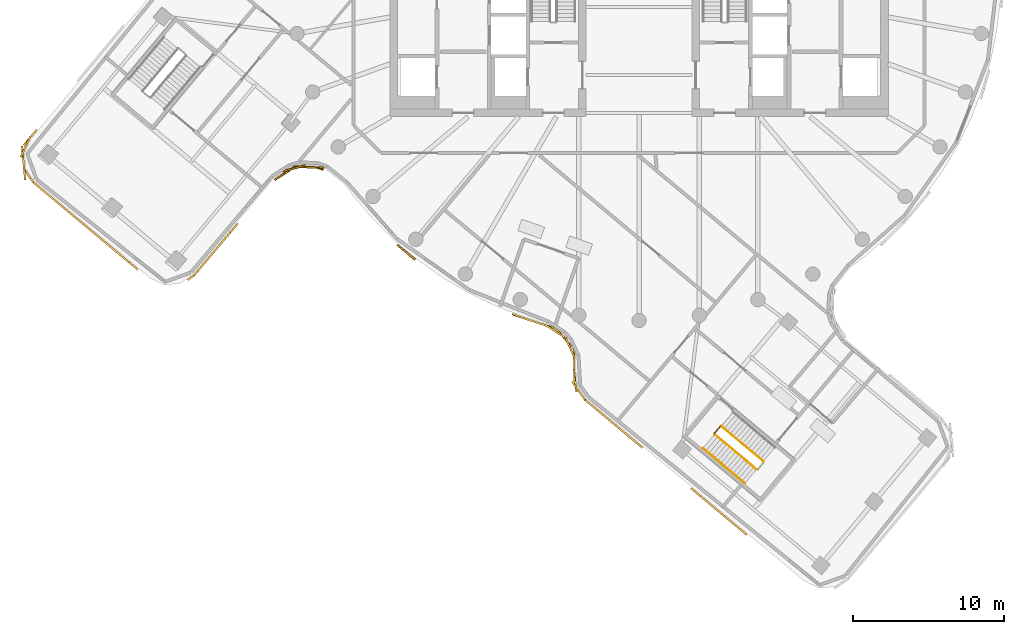
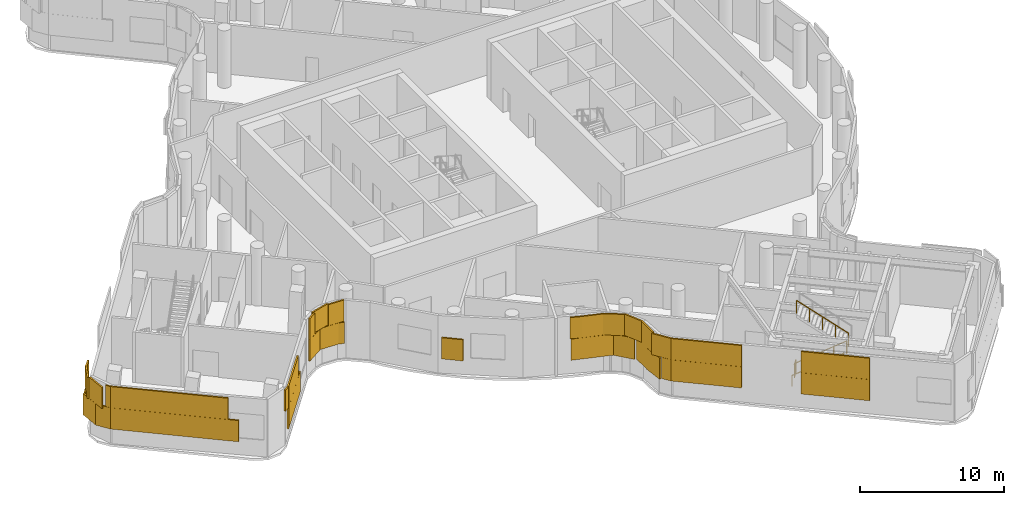
# One storey, part 13 of 19: 7 coverings, 4 railings.
"""IFC4 building model written with IfcOpenShell, lengths in metres."""

from ifc_helpers import new_model, si_unit, direction, frame, origin, origin_2d, place, context, subcontext, project, spatial, rectangle, circle, extrude, material, layer, layer_set, type_object, element, save


model = new_model("IFC4")

# Units and contexts
model_context = context("Model", 3, precision=1e-05, world=origin(), true_north=direction((0.0, 1.0)))
body_context = subcontext(model_context, "Body", "Model", "MODEL_VIEW")
ifc_project = project(units=[si_unit("LENGTHUNIT", "METRE"), si_unit("AREAUNIT", "SQUARE_METRE"), si_unit("VOLUMEUNIT", "CUBIC_METRE"), si_unit("PLANEANGLEUNIT", "RADIAN"), si_unit("MASSUNIT", "GRAM", prefix="KILO")], contexts=[model_context])

# Site, building, storey
site_placement = place(None, origin())
site = spatial("IfcSite", under=ifc_project, at=site_placement, CompositionType="ELEMENT")
building_placement = place(site_placement, origin())
building = spatial("IfcBuilding", under=site, at=building_placement, Name="Tamarind Cross Interchange Tower", CompositionType="ELEMENT")
storey_placement = place(building_placement, frame((0.0, 0.0, 214.89990234375)))
storey = spatial("IfcBuildingStorey", under=building, at=storey_placement, Name="L54", CompositionType="ELEMENT", Elevation=214.89990234375)

# Railings
ifc_material_1 = material(Name="Stair guard")
railing_type_1 = type_object("IfcRailingType", Name="Stair guard", PredefinedType="GUARDRAIL", material=ifc_material_1)
railing_1_placement = place(storey_placement, frame((4.9931640625, -30.531005859375, 0.166748046875)))
element("IfcRailing", 1, at=railing_1_placement, inside=storey, type_object=railing_type_1, Name="L54 ST6 stair guard 1", PredefinedType="GUARDRAIL", context=body_context, shape_type="SweptSolid", body=[
    extrude(circle(Radius=0.02392578125, at=origin_2d()), frame((0.0, 0.0, 1.076171875), z_axis=(0.646352967723, -0.539465034824, 0.539634429329), x_axis=(0.640771335925, 0.767731785884, 0.0)), (0.0, 0.0, 1.0), 4.32373046875),
    extrude(circle(Radius=0.02099609375, at=origin_2d()), origin(), (0.0, 0.0, 1.0), 1.052001953125),
    extrude(circle(Radius=0.02099609375, at=origin_2d()), frame((0.69873046875, -0.5830078125, 0.583251953125)), (0.0, 0.0, 1.0), 1.052001953125),
    extrude(circle(Radius=0.02099609375, at=origin_2d()), frame((1.3974609375, -1.166259765625, 1.16650390625)), (0.0, 0.0, 1.0), 1.052001953125),
    extrude(circle(Radius=0.02099609375, at=origin_2d()), frame((2.095947265625, -1.74951171875, 1.75)), (0.0, 0.0, 1.0), 1.052001953125),
    extrude(circle(Radius=0.02099609375, at=origin_2d()), frame((2.794677734375, -2.33251953125, 2.333251953125)), (0.0, 0.0, 1.0), 1.052001953125),
])
railing_2_placement = place(storey_placement, frame((8.236328125, -32.326171875, 2.666748046875)))
element("IfcRailing", 2, at=railing_2_placement, inside=storey, type_object=railing_type_1, Name="L54 ST6 stair guard 3", PredefinedType="GUARDRAIL", context=body_context, shape_type="SweptSolid", body=[
    extrude(circle(Radius=0.02392578125, at=origin_2d()), frame((0.0, 0.0, 1.076171875), z_axis=(-0.646320090525, 0.539484723473, 0.539654124161), x_axis=(-0.640804330688, -0.76770424629, 0.0)), (0.0, 0.0, 1.0), 4.323486328125),
    extrude(circle(Radius=0.02099609375, at=origin_2d()), origin(), (0.0, 0.0, 1.0), 1.052001953125),
    extrude(circle(Radius=0.02099609375, at=origin_2d()), frame((-0.69873046875, 0.5830078125, 0.583251953125)), (0.0, 0.0, 1.0), 1.052001953125),
    extrude(circle(Radius=0.02099609375, at=origin_2d()), frame((-1.397216796875, 1.166259765625, 1.16650390625)), (0.0, 0.0, 1.0), 1.052001953125),
    extrude(circle(Radius=0.02099609375, at=origin_2d()), frame((-2.095703125, 1.74951171875, 1.75)), (0.0, 0.0, 1.0), 1.052001953125),
    extrude(circle(Radius=0.02099609375, at=origin_2d()), frame((-2.79443359375, 2.33251953125, 2.333251953125)), (0.0, 0.0, 1.0), 1.052001953125),
])
railing_3_placement = place(storey_placement, frame((4.98681640625, -30.460693359375, 0.0)))
element("IfcRailing", 3, at=railing_3_placement, inside=storey, type_object=railing_type_1, Name="L54 ST6 stair guard 4", PredefinedType="GUARDRAIL", context=body_context, shape_type="SweptSolid", body=[
    extrude(circle(Radius=0.02392578125, at=origin_2d()), frame((0.0, 0.0, 1.076171875), z_axis=(0.640784470718, 0.767720823012, 0.0), x_axis=(-0.767720823012, 0.640784470718, 0.0)), (0.0, 0.0, 1.0), 0.60009765625),
    extrude(circle(Radius=0.02099609375, at=origin_2d()), origin(), (0.0, 0.0, 1.0), 1.052001953125),
    extrude(circle(Radius=0.02099609375, at=origin_2d()), frame((0.384521484375, 0.460693359375, 0.0)), (0.0, 0.0, 1.0), 1.052001953125),
])
ifc_material_2 = material(Name="Stair handrail")
railing_type_2 = type_object("IfcRailingType", Name="Stair handrail", PredefinedType="HANDRAIL", material=ifc_material_2)
railing_4_placement = place(storey_placement, frame((4.224365234375, -31.452392578125, 0.166748046875)))
element("IfcRailing", 4, at=railing_4_placement, inside=storey, type_object=railing_type_2, Name="L54 ST6 stair handrail 1", PredefinedType="HANDRAIL", context=body_context, shape_type="SweptSolid", body=[
    extrude(circle(Radius=0.02392578125, at=origin_2d()), frame((0.0, 0.0, 0.8759765625), z_axis=(0.646339779261, -0.539444689086, 0.53967056355), x_axis=(0.640764798024, 0.76773724256, 0.0)), (0.0, 0.0, 1.0), 4.323486328125),
    extrude(circle(Radius=0.02099609375, at=origin_2d()), origin(), (0.0, 0.0, 1.0), 0.851806640625),
    extrude(circle(Radius=0.02099609375, at=origin_2d()), frame((0.69873046875, -0.5830078125, 0.583251953125)), (0.0, 0.0, 1.0), 0.851806640625),
    extrude(circle(Radius=0.02099609375, at=origin_2d()), frame((1.397216796875, -1.166015625, 1.16650390625)), (0.0, 0.0, 1.0), 0.851806640625),
    extrude(circle(Radius=0.02099609375, at=origin_2d()), frame((2.095703125, -1.749267578125, 1.75)), (0.0, 0.0, 1.0), 0.851806640625),
    extrude(circle(Radius=0.02099609375, at=origin_2d()), frame((2.79443359375, -2.332275390625, 2.333251953125)), (0.0, 0.0, 1.0), 0.851806640625),
])

# Coverings
ifc_material_3 = material(Name="Terracotta", Category="masonry")
ifc_layer = layer(ifc_material_3, 0.1201171875)
ifc_layer_set = layer_set([ifc_layer], Name="Terracotta")
covering_type = type_object("IfcCoveringType", Name="Terracotta baguette screen unit", PredefinedType="MOLDING", material=ifc_layer_set)
covering_1_placement = place(storey_placement, origin())
element("IfcCovering", 5, at=covering_1_placement, inside=storey, type_object=covering_type, Name="SCR-L54-00-00", PredefinedType="MOLDING", context=body_context, shape_type="SweptSolid", body=[
    extrude(rectangle(XDim=1.510009765625, YDim=0.1201171875, at=origin_2d()), frame((-39.51953125, -14.339599609375, 1.404052734375), z_axis=(0.0, 0.0, 1.0), x_axis=(0.767729103501, -0.640774549773, 0.0)), (0.0, 0.0, 1.0), 1.7919921875),
    extrude(rectangle(XDim=1.52001953125, YDim=0.1201171875, at=origin_2d()), frame((-38.3681640625, -15.30078125, 1.404052734375), z_axis=(0.0, 0.0, 1.0), x_axis=(0.767729103501, -0.640774549773, 0.0)), (0.0, 0.0, 1.0), 1.7919921875),
    extrude(rectangle(XDim=1.52001953125, YDim=0.1201171875, at=origin_2d()), frame((-37.216552734375, -16.261962890625, 1.404052734375), z_axis=(0.0, 0.0, 1.0), x_axis=(0.767729103501, -0.640774549773, 0.0)), (0.0, 0.0, 1.0), 1.7919921875),
    extrude(rectangle(XDim=1.52001953125, YDim=0.1201171875, at=origin_2d()), frame((-36.06494140625, -17.22314453125, 1.404052734375), z_axis=(0.0, 0.0, 1.0), x_axis=(0.767729103501, -0.640774549773, 0.0)), (0.0, 0.0, 1.0), 1.7919921875),
    extrude(rectangle(XDim=1.52001953125, YDim=0.1201171875, at=origin_2d()), frame((-34.913330078125, -18.184326171875, 1.404052734375), z_axis=(0.0, 0.0, 1.0), x_axis=(0.767729103501, -0.640774549773, 0.0)), (0.0, 0.0, 1.0), 1.7919921875),
    extrude(rectangle(XDim=1.52001953125, YDim=0.1201171875, at=origin_2d()), frame((-33.76171875, -19.1455078125, 1.404052734375), z_axis=(0.0, 0.0, 1.0), x_axis=(0.767729103501, -0.640774549773, 0.0)), (0.0, 0.0, 1.0), 1.7919921875),
    extrude(rectangle(XDim=0.760009765625, YDim=0.1201171875, at=origin_2d()), frame((-39.8076171875, -14.099365234375, 3.2041015625), z_axis=(0.0, 0.0, 1.0), x_axis=(0.767729103501, -0.640774549773, 0.0)), (0.0, 0.0, 1.0), 1.7919921875),
    extrude(rectangle(XDim=1.52001953125, YDim=0.1201171875, at=origin_2d()), frame((-38.94384765625, -14.8203125, 3.2041015625), z_axis=(0.0, 0.0, 1.0), x_axis=(0.767729103501, -0.640774549773, 0.0)), (0.0, 0.0, 1.0), 1.7919921875),
    extrude(rectangle(XDim=1.52001953125, YDim=0.1201171875, at=origin_2d()), frame((-37.792236328125, -15.781494140625, 3.2041015625), z_axis=(0.0, 0.0, 1.0), x_axis=(0.767729103501, -0.640774549773, 0.0)), (0.0, 0.0, 1.0), 1.7919921875),
    extrude(rectangle(XDim=1.52001953125, YDim=0.1201171875, at=origin_2d()), frame((-36.640625, -16.74267578125, 3.2041015625), z_axis=(0.0, 0.0, 1.0), x_axis=(0.767729103501, -0.640774549773, 0.0)), (0.0, 0.0, 1.0), 1.7919921875),
    extrude(rectangle(XDim=1.52001953125, YDim=0.1201171875, at=origin_2d()), frame((-35.489013671875, -17.703857421875, 3.2041015625), z_axis=(0.0, 0.0, 1.0), x_axis=(0.767729103501, -0.640774549773, 0.0)), (0.0, 0.0, 1.0), 1.7919921875),
    extrude(rectangle(XDim=1.52001953125, YDim=0.1201171875, at=origin_2d()), frame((-34.33740234375, -18.664794921875, 3.2041015625), z_axis=(0.0, 0.0, 1.0), x_axis=(0.767729103501, -0.640774549773, 0.0)), (0.0, 0.0, 1.0), 1.7919921875),
    extrude(rectangle(XDim=0.509521484375, YDim=0.1201171875, at=origin_2d()), frame((-29.67724609375, -20.162109375, 3.2041015625), z_axis=(0.0, 0.0, 1.0), x_axis=(0.81764359992, 0.575724711567, 0.0)), (0.0, 0.0, 1.0), 1.7919921875),
])
covering_2_placement = place(storey_placement, origin())
element("IfcCovering", 6, at=covering_2_placement, inside=storey, type_object=covering_type, Name="SCR-L54-01-00", PredefinedType="MOLDING", context=body_context, shape_type="SweptSolid", body=[
    extrude(rectangle(XDim=1.510009765625, YDim=0.1201171875, at=origin_2d()), frame((-28.9892578125, -19.4453125, 1.404052734375), z_axis=(0.0, 0.0, 1.0), x_axis=(0.64498944901, 0.764191475133, 0.0)), (0.0, 0.0, 1.0), 1.7919921875),
    extrude(rectangle(XDim=1.52001953125, YDim=0.1201171875, at=origin_2d()), frame((-28.02197265625, -18.298828125, 1.404052734375), z_axis=(0.0, 0.0, 1.0), x_axis=(0.64498944901, 0.764191475133, 0.0)), (0.0, 0.0, 1.0), 1.7919921875),
    extrude(rectangle(XDim=1.52001953125, YDim=0.1201171875, at=origin_2d()), frame((-27.054443359375, -17.152587890625, 1.404052734375), z_axis=(0.0, 0.0, 1.0), x_axis=(0.64498944901, 0.764191475133, 0.0)), (0.0, 0.0, 1.0), 1.7919921875),
    extrude(rectangle(XDim=0.760009765625, YDim=0.1201171875, at=origin_2d()), frame((-29.231201171875, -19.731689453125, 3.2041015625), z_axis=(0.0, 0.0, 1.0), x_axis=(0.64498944901, 0.764191475133, 0.0)), (0.0, 0.0, 1.0), 1.7919921875),
    extrude(rectangle(XDim=1.52001953125, YDim=0.1201171875, at=origin_2d()), frame((-28.505615234375, -18.8720703125, 3.2041015625), z_axis=(0.0, 0.0, 1.0), x_axis=(0.64498944901, 0.764191475133, 0.0)), (0.0, 0.0, 1.0), 1.7919921875),
    extrude(rectangle(XDim=1.52001953125, YDim=0.1201171875, at=origin_2d()), frame((-27.5380859375, -17.725830078125, 3.2041015625), z_axis=(0.0, 0.0, 1.0), x_axis=(0.64498944901, 0.764191475133, 0.0)), (0.0, 0.0, 1.0), 1.7919921875),
])
covering_3_placement = place(storey_placement, origin())
element("IfcCovering", 7, at=covering_3_placement, inside=storey, type_object=covering_type, Name="SCR-L54-02-00", PredefinedType="MOLDING", context=body_context, shape_type="SweptSolid", body=[
    extrude(rectangle(XDim=1.510009765625, YDim=0.1201171875, at=origin_2d()), frame((-23.488037109375, -13.26953125, 1.404052734375), z_axis=(0.0, 0.0, 1.0), x_axis=(0.841387687204, 0.54043201221, 0.0)), (0.0, 0.0, 1.0), 1.7919921875),
    extrude(rectangle(XDim=1.52001953125, YDim=0.1201171875, at=origin_2d()), frame((-22.09716796875, -12.833740234375, 1.404052734375), z_axis=(0.0, 0.0, 1.0), x_axis=(0.999288392024, -0.03771882243, 0.0)), (0.0, 0.0, 1.0), 1.7919921875),
    extrude(rectangle(XDim=0.46630859375, YDim=0.1201171875, at=origin_2d()), frame((-21.13134765625, -12.9306640625, 1.404052734375), z_axis=(0.0, 0.0, 1.0), x_axis=(0.942063369002, -0.335434954625, 0.0)), (0.0, 0.0, 1.0), 1.7919921875),
    extrude(rectangle(XDim=1.52001953125, YDim=0.1201171875, at=origin_2d()), frame((-15.423583984375, -18.47314453125, 1.404052734375), z_axis=(0.0, 0.0, 1.0), x_axis=(0.765858396687, -0.643009266048, 0.0)), (0.0, 0.0, 1.0), 1.7919921875),
    extrude(rectangle(XDim=0.760009765625, YDim=0.1201171875, at=origin_2d()), frame((-23.8037109375, -13.47216796875, 3.2041015625), z_axis=(0.0, 0.0, 1.0), x_axis=(0.841387687204, 0.54043201221, 0.0)), (0.0, 0.0, 1.0), 1.7919921875),
    extrude(rectangle(XDim=1.52001953125, YDim=0.1201171875, at=origin_2d()), frame((-22.833740234375, -12.91650390625, 3.2041015625), z_axis=(0.0, 0.0, 1.0), x_axis=(0.964669220025, 0.26346403158, 0.0)), (0.0, 0.0, 1.0), 1.7919921875),
    extrude(rectangle(XDim=1.21630859375, YDim=0.1201171875, at=origin_2d()), frame((-21.494384765625, -12.8564453125, 3.2041015625), z_axis=(0.0, 0.0, 1.0), x_axis=(0.999288392024, -0.03771882243, 0.0)), (0.0, 0.0, 1.0), 1.7919921875),
])
covering_4_placement = place(storey_placement, origin())
element("IfcCovering", 8, at=covering_4_placement, inside=storey, type_object=covering_type, Name="SCR-L54-02-01", PredefinedType="MOLDING", context=body_context, shape_type="SweptSolid", body=[
    extrude(rectangle(XDim=1.52001953125, YDim=0.1201171875, at=origin_2d()), frame((-7.619873046875, -22.84765625, 1.404052734375), z_axis=(0.0, 0.0, 1.0), x_axis=(0.951328526702, -0.308178575316, 0.0)), (0.0, 0.0, 1.0), 1.7919921875),
    extrude(rectangle(XDim=1.52001953125, YDim=0.1201171875, at=origin_2d()), frame((-6.19287109375, -23.309814453125, 1.404052734375), z_axis=(0.0, 0.0, 1.0), x_axis=(0.951328526702, -0.308178575316, 0.0)), (0.0, 0.0, 1.0), 1.7919921875),
    extrude(rectangle(XDim=1.52001953125, YDim=0.1201171875, at=origin_2d()), frame((-4.962890625, -24.1513671875, 1.404052734375), z_axis=(0.0, 0.0, 1.0), x_axis=(0.651624155028, -0.758541996585, 0.0)), (0.0, 0.0, 1.0), 1.7919921875),
    extrude(rectangle(XDim=1.52001953125, YDim=0.1201171875, at=origin_2d()), frame((-4.300048828125, -25.475341796875, 1.404052734375), z_axis=(0.0, 0.0, 1.0), x_axis=(0.009929758595, -0.999950698732, 0.0)), (0.0, 0.0, 1.0), 1.7919921875),
    extrude(rectangle(XDim=1.52001953125, YDim=0.1201171875, at=origin_2d()), frame((-4.225830078125, -26.9716796875, 1.404052734375), z_axis=(0.0, 0.0, 1.0), x_axis=(0.107725750473, -0.994180648919, 0.0)), (0.0, 0.0, 1.0), 1.7919921875),
    extrude(rectangle(XDim=0.739990234375, YDim=0.1201171875, at=origin_2d()), frame((-3.782958984375, -27.957275390625, 1.404052734375), z_axis=(0.0, 0.0, 1.0), x_axis=(0.580632058092, -0.814166084479, 0.0)), (0.0, 0.0, 1.0), 1.7919921875),
    extrude(rectangle(XDim=0.83154296875, YDim=0.1201171875, at=origin_2d()), frame((-8.005126953125, -22.70556640625, 3.2041015625), z_axis=(0.0, 0.0, 1.0), x_axis=(0.933146843667, -0.359495435512, 0.0)), (0.0, 0.0, 1.0), 1.7919921875),
    extrude(rectangle(XDim=1.52001953125, YDim=0.1201171875, at=origin_2d()), frame((-6.906494140625, -23.078857421875, 3.2041015625), z_axis=(0.0, 0.0, 1.0), x_axis=(0.951328526702, -0.308178575316, 0.0)), (0.0, 0.0, 1.0), 1.7919921875),
    extrude(rectangle(XDim=1.52001953125, YDim=0.1201171875, at=origin_2d()), frame((-5.555908203125, -23.70166015625, 3.2041015625), z_axis=(0.0, 0.0, 1.0), x_axis=(0.839075380751, -0.54401517021, 0.0)), (0.0, 0.0, 1.0), 1.7919921875),
    extrude(rectangle(XDim=1.52001953125, YDim=0.1201171875, at=origin_2d()), frame((-4.57470703125, -24.7841796875, 3.2041015625), z_axis=(0.0, 0.0, 1.0), x_axis=(0.411287294518, -0.911505765954, 0.0)), (0.0, 0.0, 1.0), 1.7919921875),
    extrude(rectangle(XDim=1.52001953125, YDim=0.1201171875, at=origin_2d()), frame((-4.29248046875, -26.225341796875, 3.2041015625), z_axis=(0.0, 0.0, 1.0), x_axis=(0.009929758595, -0.999950698732, 0.0)), (0.0, 0.0, 1.0), 1.7919921875),
    extrude(rectangle(XDim=1.489990234375, YDim=0.1201171875, at=origin_2d()), frame((-4.000732421875, -27.652099609375, 3.2041015625), z_axis=(0.0, 0.0, 1.0), x_axis=(0.580632058092, -0.814166084479, 0.0)), (0.0, 0.0, 1.0), 1.7919921875),
])
covering_5_placement = place(storey_placement, origin())
element("IfcCovering", 9, at=covering_5_placement, inside=storey, type_object=covering_type, Name="SCR-L54-03-00", PredefinedType="MOLDING", context=body_context, shape_type="SweptSolid", body=[
    extrude(rectangle(XDim=1.510009765625, YDim=0.1201171875, at=origin_2d()), frame((-2.995361328125, -28.735107421875, 1.404052734375), z_axis=(0.0, 0.0, 1.0), x_axis=(0.767729103501, -0.640774549773, 0.0)), (0.0, 0.0, 1.0), 1.7919921875),
    extrude(rectangle(XDim=1.52001953125, YDim=0.1201171875, at=origin_2d()), frame((-1.84375, -29.6962890625, 1.404052734375), z_axis=(0.0, 0.0, 1.0), x_axis=(0.767729103501, -0.640774549773, 0.0)), (0.0, 0.0, 1.0), 1.7919921875),
    extrude(rectangle(XDim=1.52001953125, YDim=0.1201171875, at=origin_2d()), frame((-0.692138671875, -30.657470703125, 1.404052734375), z_axis=(0.0, 0.0, 1.0), x_axis=(0.767729103501, -0.640774549773, 0.0)), (0.0, 0.0, 1.0), 1.7919921875),
    extrude(rectangle(XDim=0.44091796875, YDim=0.1201171875, at=origin_2d()), frame((0.049072265625, -31.276123046875, 1.404052734375), z_axis=(0.0, 0.0, 1.0), x_axis=(0.767729103501, -0.640774549773, 0.0)), (0.0, 0.0, 1.0), 1.7919921875),
    extrude(rectangle(XDim=0.760009765625, YDim=0.1201171875, at=origin_2d()), frame((-3.283203125, -28.49462890625, 3.2041015625), z_axis=(0.0, 0.0, 1.0), x_axis=(0.767729103501, -0.640774549773, 0.0)), (0.0, 0.0, 1.0), 1.7919921875),
    extrude(rectangle(XDim=1.52001953125, YDim=0.1201171875, at=origin_2d()), frame((-2.41943359375, -29.215576171875, 3.2041015625), z_axis=(0.0, 0.0, 1.0), x_axis=(0.767729103501, -0.640774549773, 0.0)), (0.0, 0.0, 1.0), 1.7919921875),
    extrude(rectangle(XDim=1.52001953125, YDim=0.1201171875, at=origin_2d()), frame((-1.267822265625, -30.1767578125, 3.2041015625), z_axis=(0.0, 0.0, 1.0), x_axis=(0.767729103501, -0.640774549773, 0.0)), (0.0, 0.0, 1.0), 1.7919921875),
    extrude(rectangle(XDim=1.19091796875, YDim=0.1201171875, at=origin_2d()), frame((-0.23876953125, -31.03564453125, 3.2041015625), z_axis=(0.0, 0.0, 1.0), x_axis=(0.767729103501, -0.640774549773, 0.0)), (0.0, 0.0, 1.0), 1.7919921875),
])
covering_6_placement = place(storey_placement, origin())
element("IfcCovering", 10, at=covering_6_placement, inside=storey, type_object=covering_type, Name="SCR-L54-03-01", PredefinedType="MOLDING", context=body_context, shape_type="SweptSolid", body=[
    extrude(rectangle(XDim=1.37890625, YDim=0.1201171875, at=origin_2d()), frame((3.964599609375, -34.5439453125, 1.404052734375), z_axis=(0.0, 0.0, 1.0), x_axis=(0.767729103501, -0.640774549773, 0.0)), (0.0, 0.0, 1.0), 1.7919921875),
    extrude(rectangle(XDim=1.52001953125, YDim=0.1201171875, at=origin_2d()), frame((5.06591796875, -35.463134765625, 1.404052734375), z_axis=(0.0, 0.0, 1.0), x_axis=(0.767729103501, -0.640774549773, 0.0)), (0.0, 0.0, 1.0), 1.7919921875),
    extrude(rectangle(XDim=1.52001953125, YDim=0.1201171875, at=origin_2d()), frame((6.217529296875, -36.42431640625, 1.404052734375), z_axis=(0.0, 0.0, 1.0), x_axis=(0.767729103501, -0.640774549773, 0.0)), (0.0, 0.0, 1.0), 1.7919921875),
    extrude(rectangle(XDim=0.452392578125, YDim=0.1201171875, at=origin_2d()), frame((6.963134765625, -37.046630859375, 1.404052734375), z_axis=(0.0, 0.0, 1.0), x_axis=(0.767729103501, -0.640774549773, 0.0)), (0.0, 0.0, 1.0), 1.7919921875),
    extrude(rectangle(XDim=0.62890625, YDim=0.1201171875, at=origin_2d()), frame((3.6767578125, -34.3037109375, 3.2041015625), z_axis=(0.0, 0.0, 1.0), x_axis=(0.767729103501, -0.640774549773, 0.0)), (0.0, 0.0, 1.0), 1.7919921875),
    extrude(rectangle(XDim=1.52001953125, YDim=0.1201171875, at=origin_2d()), frame((4.489990234375, -34.982666015625, 3.2041015625), z_axis=(0.0, 0.0, 1.0), x_axis=(0.767729103501, -0.640774549773, 0.0)), (0.0, 0.0, 1.0), 1.7919921875),
    extrude(rectangle(XDim=1.52001953125, YDim=0.1201171875, at=origin_2d()), frame((5.6416015625, -35.94384765625, 3.2041015625), z_axis=(0.0, 0.0, 1.0), x_axis=(0.767729103501, -0.640774549773, 0.0)), (0.0, 0.0, 1.0), 1.7919921875),
    extrude(rectangle(XDim=1.202392578125, YDim=0.1201171875, at=origin_2d()), frame((6.675048828125, -36.806396484375, 3.2041015625), z_axis=(0.0, 0.0, 1.0), x_axis=(0.767729103501, -0.640774549773, 0.0)), (0.0, 0.0, 1.0), 1.7919921875),
])
covering_7_placement = place(storey_placement, origin())
element("IfcCovering", 11, at=covering_7_placement, inside=storey, type_object=covering_type, Name="SCR-L54-11-02", PredefinedType="MOLDING", context=body_context, shape_type="SweptSolid", body=[
    extrude(rectangle(XDim=1.36767578125, YDim=0.1201171875, at=origin_2d()), frame((-40.314453125, -10.87841796875, 1.404052734375), z_axis=(0.0, 0.0, 1.0), x_axis=(-0.640774549773, -0.767729103501, 0.0)), (0.0, 0.0, 1.0), 1.7919921875),
    extrude(rectangle(XDim=1.52001953125, YDim=0.1201171875, at=origin_2d()), frame((-40.78369140625, -12.190673828125, 1.404052734375), z_axis=(0.0, 0.0, 1.0), x_axis=(0.089770425844, -0.995962484556, 0.0)), (0.0, 0.0, 1.0), 1.7919921875),
    extrude(rectangle(XDim=1.126953125, YDim=0.1201171875, at=origin_2d()), frame((-40.4169921875, -13.402587890625, 1.404052734375), z_axis=(0.0, 0.0, 1.0), x_axis=(0.575724711567, -0.81764359992, 0.0)), (0.0, 0.0, 1.0), 1.7919921875),
    extrude(rectangle(XDim=0.61767578125, YDim=0.1201171875, at=origin_2d()), frame((-40.07421875, -10.590576171875, 3.2041015625), z_axis=(0.0, 0.0, 1.0), x_axis=(-0.640774549773, -0.767729103501, 0.0)), (0.0, 0.0, 1.0), 1.7919921875),
    extrude(rectangle(XDim=1.52001953125, YDim=0.1201171875, at=origin_2d()), frame((-40.615234375, -11.484619140625, 3.2041015625), z_axis=(0.0, 0.0, 1.0), x_axis=(-0.420237772989, -0.907414025764, 0.0)), (0.0, 0.0, 1.0), 1.7919921875),
    extrude(rectangle(XDim=1.52001953125, YDim=0.1201171875, at=origin_2d()), frame((-40.71630859375, -12.937744140625, 3.2041015625), z_axis=(0.0, 0.0, 1.0), x_axis=(0.089770425844, -0.995962484556, 0.0)), (0.0, 0.0, 1.0), 1.7919921875),
    extrude(rectangle(XDim=0.376953125, YDim=0.1201171875, at=origin_2d()), frame((-40.201171875, -13.708984375, 3.2041015625), z_axis=(0.0, 0.0, 1.0), x_axis=(0.575724711567, -0.81764359992, 0.0)), (0.0, 0.0, 1.0), 1.7919921875),
])

save(model, "model.ifc")
